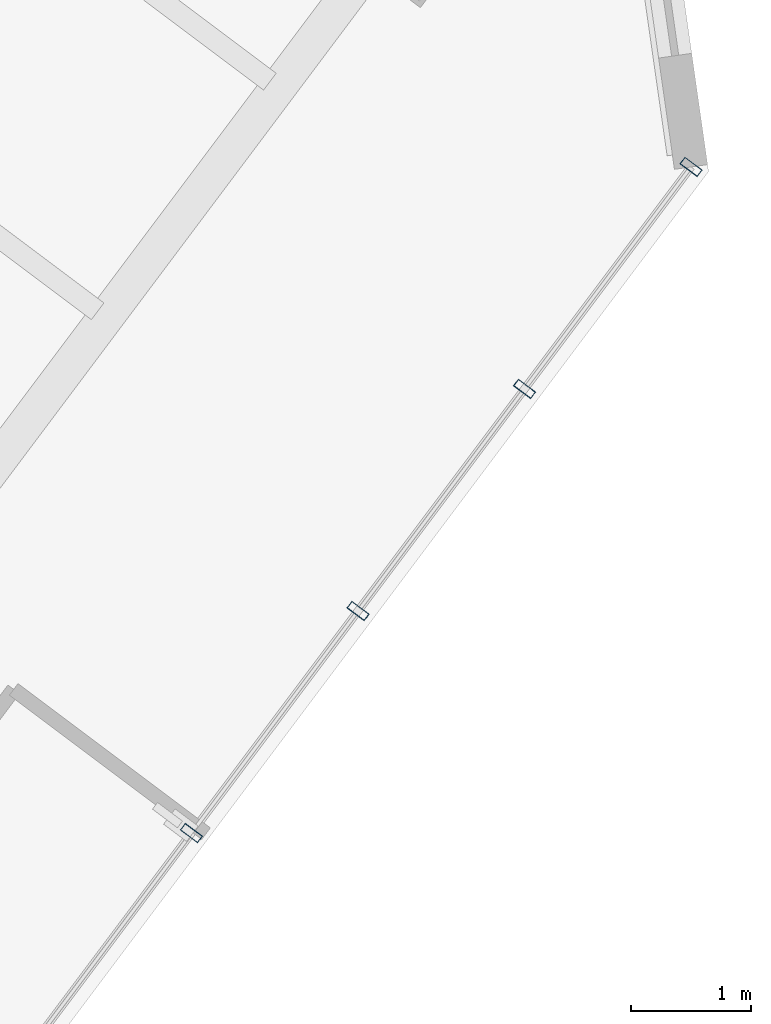
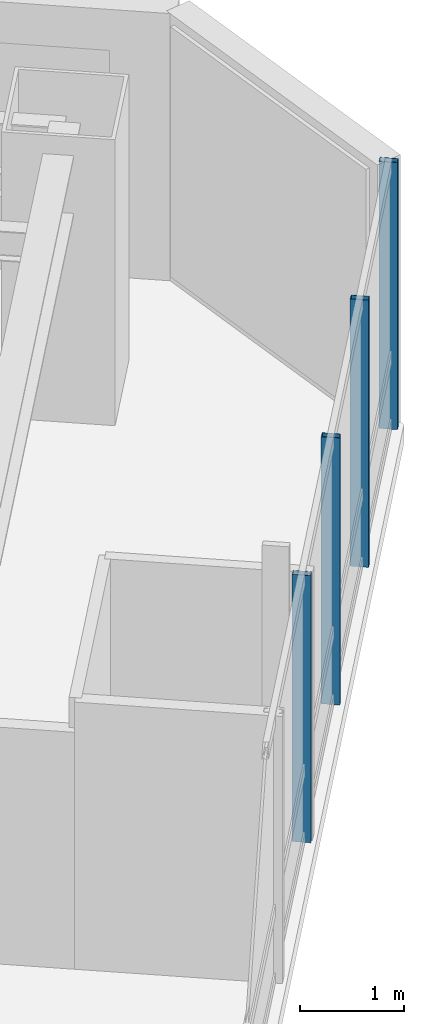
# One storey, part 19 of 38: 4 members, 1 element without a shape of its own.
"""IFC4 building model written with IfcOpenShell, lengths in metres."""

from ifc_helpers import new_model, si_unit, direction, frame, origin, origin_2d, place, context, subcontext, project, spatial, hollow_rectangle, extrude, material, layer, layer_set, material_profile, profile_set, type_object, element, aggregate, save


model = new_model("IFC4")

# Units and contexts
model_context = context("Model", 3, precision=1e-05, world=origin(), true_north=direction((0.0, 1.0)))
body_context = subcontext(model_context, "Body", "Model", "MODEL_VIEW")
ifc_project = project(units=[si_unit("LENGTHUNIT", "METRE"), si_unit("AREAUNIT", "SQUARE_METRE"), si_unit("VOLUMEUNIT", "CUBIC_METRE"), si_unit("PLANEANGLEUNIT", "RADIAN"), si_unit("MASSUNIT", "GRAM", prefix="KILO")], contexts=[model_context])

# Site, building, storey
site_placement = place(None, origin())
site = spatial("IfcSite", under=ifc_project, at=site_placement, CompositionType="ELEMENT")
building_placement = place(site_placement, origin())
building = spatial("IfcBuilding", under=site, at=building_placement, Name="Hatsunagi Terrace Concourse", CompositionType="ELEMENT")
storey_placement = place(building_placement, frame((0.0, 0.0, 60.050048828125)))
storey = spatial("IfcBuildingStorey", under=building, at=storey_placement, Name="L15", CompositionType="ELEMENT", Elevation=60.050048828125)

# Curtain wall, members
ifc_material_1 = material(Name="Anodised Aluminium Alloy 6063-T5", Category="aluminium")
ifc_layer = layer(ifc_material_1, 0.199951171875)
ifc_layer_set = layer_set([ifc_layer], Name="HotelFacade_CW02")
curtain_wall_type = type_object("IfcCurtainWallType", Name="HotelFacade_CW02", PredefinedType="NOTDEFINED", material=ifc_layer_set)
curtain_wall_placement = place(storey_placement, origin())
curtain_wall = element("IfcCurtainWall", 1, at=curtain_wall_placement, inside=storey, type_object=curtain_wall_type, Name="Unitised Curtain Wall CW-02 CW-L15-03", PredefinedType="NOTDEFINED")
ifc_material_2 = material(Name="Anodised Aluminium Alloy 6063-T5", Category="aluminium")
ifc_material_profile = material_profile(ifc_material_2, hollow_rectangle(XDim=0.070068359375, YDim=0.179931640625, WallThickness=0.00390625, at=origin_2d()), Name="ALU-MUL-180x70x4")
ifc_profile_set = profile_set([ifc_material_profile], Name="Anodised Aluminium Alloy 6063-T5")
member_type = type_object("IfcMemberType", Name="CurtainWallMullion_180x70", PredefinedType="MULLION", material=ifc_profile_set)
member_1_placement = place(storey_placement, frame((69.093017578125, 19.657958984375, 0.0), z_axis=(0.0, 0.0, 1.0), x_axis=(-0.599969314634, -0.800023013105, 0.0)))
member_1 = element("IfcMember", 2, at=member_1_placement, type_object=member_type, Name="Curtain Wall Mullion MUL-02", PredefinedType="MULLION", context=body_context, shape_type="SweptSolid", body=[
    extrude(hollow_rectangle(XDim=0.070068359375, YDim=0.179931640625, WallThickness=0.00390625, at=origin_2d()), origin(), (0.0, 0.0, 1.0), 3.1298828125),
])
member_2_placement = place(storey_placement, frame((67.700927734375, 17.802001953125, 0.0), z_axis=(0.0, 0.0, 1.0), x_axis=(-0.599969314634, -0.800023013105, 0.0)))
member_2 = element("IfcMember", 3, at=member_2_placement, type_object=member_type, Name="Curtain Wall Mullion MUL-02", PredefinedType="MULLION", context=body_context, shape_type="SweptSolid", body=[
    extrude(hollow_rectangle(XDim=0.070068359375, YDim=0.179931640625, WallThickness=0.00390625, at=origin_2d()), origin(), (0.0, 0.0, 1.0), 3.1298828125),
])
member_3_placement = place(storey_placement, frame((66.30908203125, 15.945068359375, 0.0), z_axis=(0.0, 0.0, 1.0), x_axis=(-0.599969314634, -0.800023013105, 0.0)))
member_3 = element("IfcMember", 4, at=member_3_placement, type_object=member_type, Name="Curtain Wall Mullion MUL-02", PredefinedType="MULLION", context=body_context, shape_type="SweptSolid", body=[
    extrude(hollow_rectangle(XDim=0.070068359375, YDim=0.179931640625, WallThickness=0.00390625, at=origin_2d()), origin(), (0.0, 0.0, 1.0), 3.1298828125),
])
member_4_placement = place(storey_placement, frame((64.916015625, 14.089111328125, 0.0), z_axis=(0.0, 0.0, 1.0), x_axis=(-0.599969314634, -0.800023013105, 0.0)))
member_4 = element("IfcMember", 5, at=member_4_placement, type_object=member_type, Name="Curtain Wall Mullion MUL-02", PredefinedType="MULLION", context=body_context, shape_type="SweptSolid", body=[
    extrude(hollow_rectangle(XDim=0.070068359375, YDim=0.179931640625, WallThickness=0.00390625, at=origin_2d()), origin(), (0.0, 0.0, 1.0), 3.1298828125),
])
aggregate(curtain_wall, [member_1, member_2, member_3, member_4])

save(model, "model.ifc")
